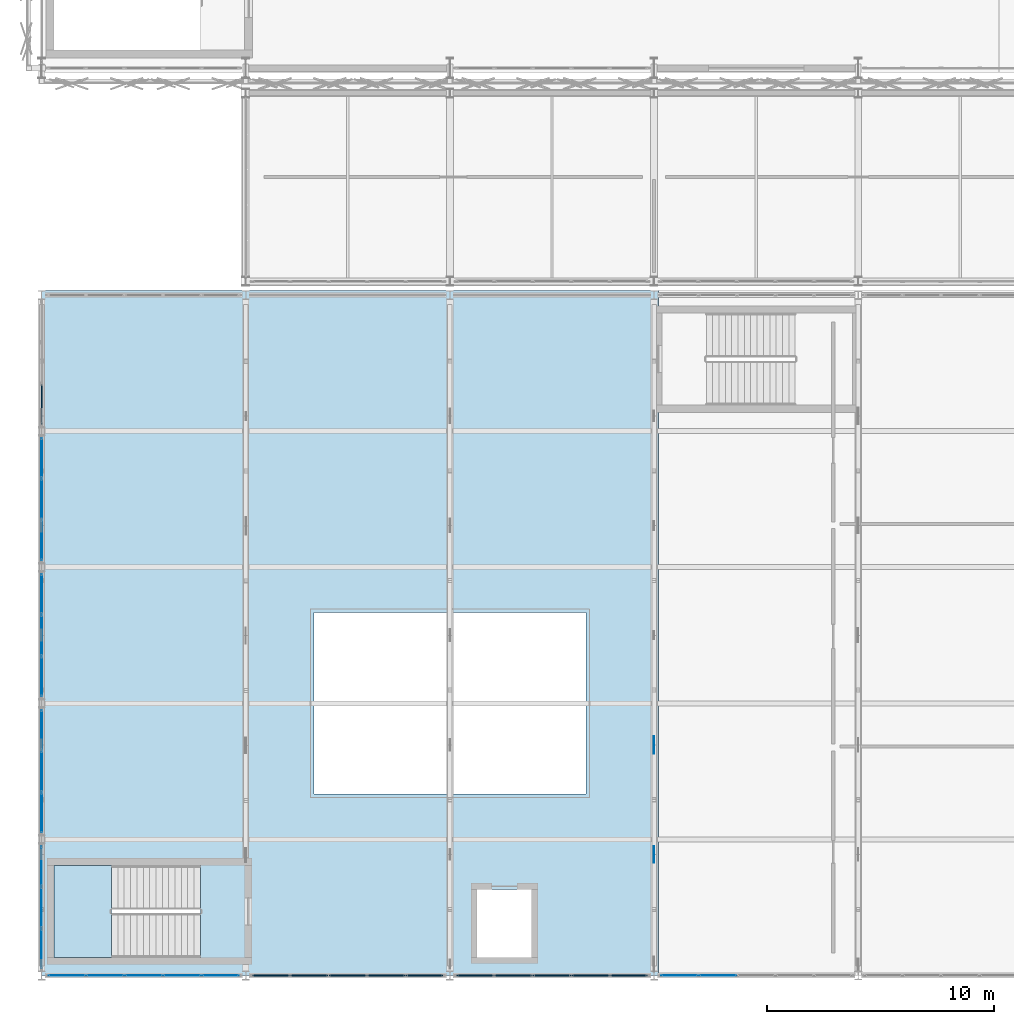
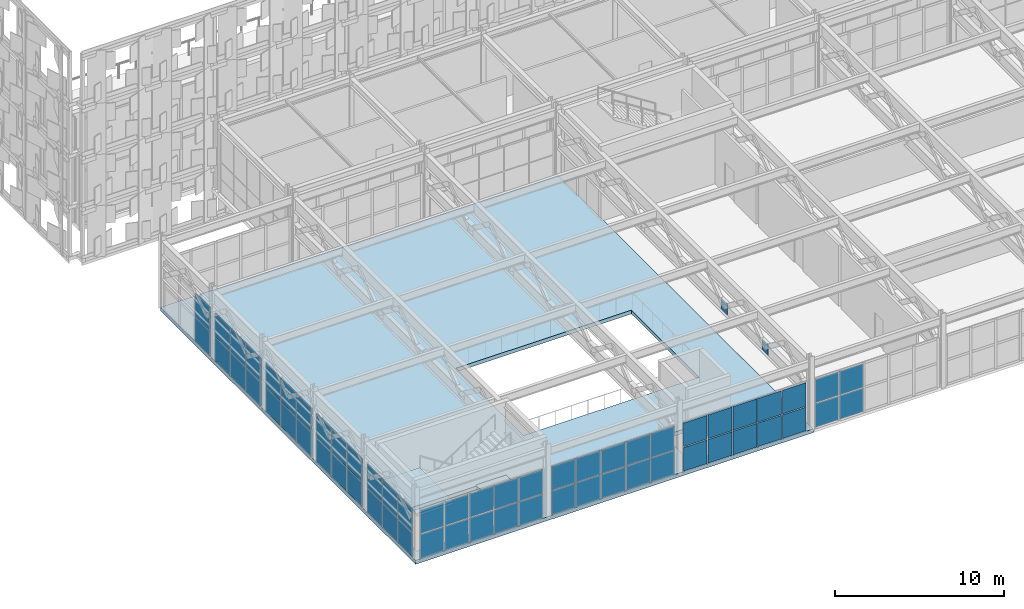
# One storey, part 131 of 210: 62 plates, 3 slabs, 10 elements without a shape of their own.
"""IFC4 building model written with IfcOpenShell, lengths in metres."""

from ifc_helpers import new_model, si_unit, direction, frame, origin, origin_2d, place, context, subcontext, project, spatial, polyline, rectangle, outline, extrude, material, layer, layer_set, type_object, element, aggregate, save


model = new_model("IFC4")

# Units and contexts
model_context = context("Model", 3, precision=1e-05, world=origin(), true_north=direction((0.0, 1.0)))
body_context = subcontext(model_context, "Body", "Model", "MODEL_VIEW")
ifc_project = project(units=[si_unit("LENGTHUNIT", "METRE"), si_unit("AREAUNIT", "SQUARE_METRE"), si_unit("VOLUMEUNIT", "CUBIC_METRE"), si_unit("PLANEANGLEUNIT", "RADIAN"), si_unit("MASSUNIT", "GRAM", prefix="KILO")], contexts=[model_context])

# Site, building, storey
site_placement = place(None, origin())
site = spatial("IfcSite", under=ifc_project, at=site_placement, CompositionType="ELEMENT")
building_placement = place(site_placement, origin())
building = spatial("IfcBuilding", under=site, at=building_placement, Name="Kaldris Quays Convention Centre", CompositionType="ELEMENT")
storey_placement = place(building_placement, frame((0.0, 0.0, 6.0)))
storey = spatial("IfcBuildingStorey", under=building, at=storey_placement, Name="L01", CompositionType="ELEMENT", Elevation=6.0)

# Curtain wall, plates
ifc_material_1 = material(Name="Anodized aluminium AW-6060 and triple glazing", Category="aluminium")
curtain_wall_type = type_object("IfcCurtainWallType", Name="UNITISED CURTAIN WALL CW05", PredefinedType="NOTDEFINED", material=ifc_material_1)
curtain_wall_1_placement = place(storey_placement, origin())
curtain_wall_1 = element("IfcCurtainWall", 1, at=curtain_wall_1_placement, inside=storey, type_object=curtain_wall_type, Name="L01 Unitised Curtain Wall CW05 65", PredefinedType="NOTDEFINED")
ifc_material_2 = material(Name="Triple low-E insulated glazing", Category="glass")
plate_type_1 = type_object("IfcPlateType", Name="CURTAIN GLAZING PANEL CWP1", PredefinedType="CURTAIN_PANEL", material=ifc_material_2)
plate_1_placement = place(storey_placement, frame((48.114990234375, 16.0, 0.06005859375), z_axis=(0.0, 0.0, 1.0), x_axis=(1.0, 0.0, 0.0)))
plate_1 = element("IfcPlate", 2, at=plate_1_placement, type_object=plate_type_1, Name="CW05 panel 1.1", PredefinedType="CURTAIN_PANEL", context=body_context, shape_type="SweptSolid", body=[
    extrude(rectangle(XDim=1.610107421875, YDim=0.029052734375, at=origin_2d()), origin(), (0.0, 0.0, 1.0), 1.7099609375),
])
plate_2_placement = place(storey_placement, frame((48.114990234375, 16.0, 1.830078125), z_axis=(0.0, 0.0, 1.0), x_axis=(1.0, 0.0, 0.0)))
plate_2 = element("IfcPlate", 3, at=plate_2_placement, type_object=plate_type_1, Name="CW05 panel 1.2", PredefinedType="CURTAIN_PANEL", context=body_context, shape_type="SweptSolid", body=[
    extrude(rectangle(XDim=1.610107421875, YDim=0.029052734375, at=origin_2d()), origin(), (0.0, 0.0, 1.0), 1.7099609375),
])
plate_3_placement = place(storey_placement, frame((49.800048828125, 16.0, 0.06005859375), z_axis=(0.0, 0.0, 1.0), x_axis=(1.0, 0.0, 0.0)))
plate_3 = element("IfcPlate", 4, at=plate_3_placement, type_object=plate_type_1, Name="CW05 panel 2.1", PredefinedType="CURTAIN_PANEL", context=body_context, shape_type="SweptSolid", body=[
    extrude(rectangle(XDim=1.639892578125, YDim=0.029052734375, at=origin_2d()), origin(), (0.0, 0.0, 1.0), 1.7099609375),
])
plate_4_placement = place(storey_placement, frame((49.800048828125, 16.0, 1.830078125), z_axis=(0.0, 0.0, 1.0), x_axis=(1.0, 0.0, 0.0)))
plate_4 = element("IfcPlate", 5, at=plate_4_placement, type_object=plate_type_1, Name="CW05 panel 2.2", PredefinedType="CURTAIN_PANEL", context=body_context, shape_type="SweptSolid", body=[
    extrude(rectangle(XDim=1.639892578125, YDim=0.029052734375, at=origin_2d()), origin(), (0.0, 0.0, 1.0), 1.7099609375),
])
aggregate(curtain_wall_1, [plate_1, plate_2, plate_3, plate_4])

curtain_wall_2_placement = place(storey_placement, origin())
curtain_wall_2 = element("IfcCurtainWall", 6, at=curtain_wall_2_placement, inside=storey, type_object=curtain_wall_type, Name="L01 Unitised Curtain Wall CW05 73", PredefinedType="NOTDEFINED")
plate_5_placement = place(storey_placement, frame((20.0, 17.181640625, 0.06005859375), z_axis=(0.0, 0.0, 1.0), x_axis=(0.0, 1.0, 0.0)))
plate_5 = element("IfcPlate", 7, at=plate_5_placement, type_object=plate_type_1, Name="CW05 panel 1.1", PredefinedType="CURTAIN_PANEL", context=body_context, shape_type="SweptSolid", body=[
    extrude(rectangle(XDim=1.743408203125, YDim=0.029052734375, at=origin_2d()), origin(), (0.0, 0.0, 1.0), 1.7099609375),
])
plate_6_placement = place(storey_placement, frame((20.0, 17.181640625, 1.830078125), z_axis=(0.0, 0.0, 1.0), x_axis=(0.0, 1.0, 0.0)))
plate_6 = element("IfcPlate", 8, at=plate_6_placement, type_object=plate_type_1, Name="CW05 panel 1.2", PredefinedType="CURTAIN_PANEL", context=body_context, shape_type="SweptSolid", body=[
    extrude(rectangle(XDim=1.743408203125, YDim=0.029052734375, at=origin_2d()), origin(), (0.0, 0.0, 1.0), 1.7099609375),
])
plate_7_placement = place(storey_placement, frame((20.0, 19.0, 0.06005859375), z_axis=(0.0, 0.0, 1.0), x_axis=(0.0, 1.0, 0.0)))
plate_7 = element("IfcPlate", 9, at=plate_7_placement, type_object=plate_type_1, Name="CW05 panel 2.1", PredefinedType="CURTAIN_PANEL", context=body_context, shape_type="SweptSolid", body=[
    extrude(rectangle(XDim=1.7734375, YDim=0.029052734375, at=origin_2d()), origin(), (0.0, 0.0, 1.0), 1.7099609375),
])
plate_8_placement = place(storey_placement, frame((20.0, 19.0, 1.830078125), z_axis=(0.0, 0.0, 1.0), x_axis=(0.0, 1.0, 0.0)))
plate_8 = element("IfcPlate", 10, at=plate_8_placement, type_object=plate_type_1, Name="CW05 panel 2.2", PredefinedType="CURTAIN_PANEL", context=body_context, shape_type="SweptSolid", body=[
    extrude(rectangle(XDim=1.7734375, YDim=0.029052734375, at=origin_2d()), origin(), (0.0, 0.0, 1.0), 1.7099609375),
])
plate_9_placement = place(storey_placement, frame((20.0, 20.818359375, 0.06005859375), z_axis=(0.0, 0.0, 1.0), x_axis=(0.0, 1.0, 0.0)))
plate_9 = element("IfcPlate", 11, at=plate_9_placement, type_object=plate_type_1, Name="CW05 panel 3.1", PredefinedType="CURTAIN_PANEL", context=body_context, shape_type="SweptSolid", body=[
    extrude(rectangle(XDim=1.743408203125, YDim=0.029052734375, at=origin_2d()), origin(), (0.0, 0.0, 1.0), 1.7099609375),
])
plate_10_placement = place(storey_placement, frame((20.0, 20.818359375, 1.830078125), z_axis=(0.0, 0.0, 1.0), x_axis=(0.0, 1.0, 0.0)))
plate_10 = element("IfcPlate", 12, at=plate_10_placement, type_object=plate_type_1, Name="CW05 panel 3.2", PredefinedType="CURTAIN_PANEL", context=body_context, shape_type="SweptSolid", body=[
    extrude(rectangle(XDim=1.743408203125, YDim=0.029052734375, at=origin_2d()), origin(), (0.0, 0.0, 1.0), 1.7099609375),
])
aggregate(curtain_wall_2, [plate_5, plate_6, plate_7, plate_8, plate_9, plate_10])

curtain_wall_3_placement = place(storey_placement, origin())
curtain_wall_3 = element("IfcCurtainWall", 13, at=curtain_wall_3_placement, inside=storey, type_object=curtain_wall_type, Name="L01 Unitised Curtain Wall CW05 74", PredefinedType="NOTDEFINED")
plate_type_2 = type_object("IfcPlateType", Name="CURTAIN GLAZING PANEL CWP2", PredefinedType="CURTAIN_PANEL", material=ifc_material_2)
plate_11_placement = place(storey_placement, frame((20.0, 23.181640625, 0.06005859375), z_axis=(0.0, 0.0, 1.0), x_axis=(0.0, 1.0, 0.0)))
plate_11 = element("IfcPlate", 14, at=plate_11_placement, type_object=plate_type_2, Name="CW05 panel 1.1", PredefinedType="CURTAIN_PANEL", context=body_context, shape_type="SweptSolid", body=[
    extrude(rectangle(XDim=1.743408203125, YDim=0.033935546875, at=origin_2d()), origin(), (0.0, 0.0, 1.0), 1.7099609375),
])
plate_12_placement = place(storey_placement, frame((20.0, 23.181640625, 1.830078125), z_axis=(0.0, 0.0, 1.0), x_axis=(0.0, 1.0, 0.0)))
plate_12 = element("IfcPlate", 15, at=plate_12_placement, type_object=plate_type_2, Name="CW05 panel 1.2", PredefinedType="CURTAIN_PANEL", context=body_context, shape_type="SweptSolid", body=[
    extrude(rectangle(XDim=1.743408203125, YDim=0.033935546875, at=origin_2d()), origin(), (0.0, 0.0, 1.0), 1.7099609375),
])
plate_13_placement = place(storey_placement, frame((20.0, 25.0, 0.06005859375), z_axis=(0.0, 0.0, 1.0), x_axis=(0.0, 1.0, 0.0)))
plate_13 = element("IfcPlate", 16, at=plate_13_placement, type_object=plate_type_2, Name="CW05 panel 2.1", PredefinedType="CURTAIN_PANEL", context=body_context, shape_type="SweptSolid", body=[
    extrude(rectangle(XDim=1.7734375, YDim=0.033935546875, at=origin_2d()), origin(), (0.0, 0.0, 1.0), 1.7099609375),
])
plate_14_placement = place(storey_placement, frame((20.0, 25.0, 1.830078125), z_axis=(0.0, 0.0, 1.0), x_axis=(0.0, 1.0, 0.0)))
plate_14 = element("IfcPlate", 17, at=plate_14_placement, type_object=plate_type_2, Name="CW05 panel 2.2", PredefinedType="CURTAIN_PANEL", context=body_context, shape_type="SweptSolid", body=[
    extrude(rectangle(XDim=1.7734375, YDim=0.033935546875, at=origin_2d()), origin(), (0.0, 0.0, 1.0), 1.7099609375),
])
plate_15_placement = place(storey_placement, frame((20.0, 26.818359375, 0.06005859375), z_axis=(0.0, 0.0, 1.0), x_axis=(0.0, 1.0, 0.0)))
plate_15 = element("IfcPlate", 18, at=plate_15_placement, type_object=plate_type_2, Name="CW05 panel 3.1", PredefinedType="CURTAIN_PANEL", context=body_context, shape_type="SweptSolid", body=[
    extrude(rectangle(XDim=1.743408203125, YDim=0.033935546875, at=origin_2d()), origin(), (0.0, 0.0, 1.0), 1.7099609375),
])
plate_16_placement = place(storey_placement, frame((20.0, 26.818359375, 1.830078125), z_axis=(0.0, 0.0, 1.0), x_axis=(0.0, 1.0, 0.0)))
plate_16 = element("IfcPlate", 19, at=plate_16_placement, type_object=plate_type_2, Name="CW05 panel 3.2", PredefinedType="CURTAIN_PANEL", context=body_context, shape_type="SweptSolid", body=[
    extrude(rectangle(XDim=1.743408203125, YDim=0.033935546875, at=origin_2d()), origin(), (0.0, 0.0, 1.0), 1.7099609375),
])
aggregate(curtain_wall_3, [plate_11, plate_12, plate_13, plate_14, plate_15, plate_16])

curtain_wall_4_placement = place(storey_placement, origin())
curtain_wall_4 = element("IfcCurtainWall", 20, at=curtain_wall_4_placement, inside=storey, type_object=curtain_wall_type, Name="L01 Unitised Curtain Wall CW05 59", PredefinedType="NOTDEFINED")
plate_type_3 = type_object("IfcPlateType", Name="CURTAIN GLAZING PANEL CWP3", PredefinedType="CURTAIN_PANEL", material=ifc_material_2)
plate_17_placement = place(storey_placement, frame((21.114990234375, 16.0, 0.06005859375), z_axis=(0.0, 0.0, 1.0), x_axis=(1.0, 0.0, 0.0)))
plate_17 = element("IfcPlate", 21, at=plate_17_placement, type_object=plate_type_3, Name="CW05 panel 1.1", PredefinedType="CURTAIN_PANEL", context=body_context, shape_type="SweptSolid", body=[
    extrude(rectangle(XDim=1.610107421875, YDim=0.0390625, at=origin_2d()), origin(), (0.0, 0.0, 1.0), 1.7099609375),
])
plate_18_placement = place(storey_placement, frame((21.114990234375, 16.0, 1.830078125), z_axis=(0.0, 0.0, 1.0), x_axis=(1.0, 0.0, 0.0)))
plate_18 = element("IfcPlate", 22, at=plate_18_placement, type_object=plate_type_3, Name="CW05 panel 1.2", PredefinedType="CURTAIN_PANEL", context=body_context, shape_type="SweptSolid", body=[
    extrude(rectangle(XDim=1.610107421875, YDim=0.0390625, at=origin_2d()), origin(), (0.0, 0.0, 1.0), 1.7099609375),
])
plate_19_placement = place(storey_placement, frame((22.800048828125, 16.0, 0.06005859375), z_axis=(0.0, 0.0, 1.0), x_axis=(1.0, 0.0, 0.0)))
plate_19 = element("IfcPlate", 23, at=plate_19_placement, type_object=plate_type_3, Name="CW05 panel 2.1", PredefinedType="CURTAIN_PANEL", context=body_context, shape_type="SweptSolid", body=[
    extrude(rectangle(XDim=1.639892578125, YDim=0.0390625, at=origin_2d()), origin(), (0.0, 0.0, 1.0), 1.7099609375),
])
plate_20_placement = place(storey_placement, frame((22.800048828125, 16.0, 1.830078125), z_axis=(0.0, 0.0, 1.0), x_axis=(1.0, 0.0, 0.0)))
plate_20 = element("IfcPlate", 24, at=plate_20_placement, type_object=plate_type_3, Name="CW05 panel 2.2", PredefinedType="CURTAIN_PANEL", context=body_context, shape_type="SweptSolid", body=[
    extrude(rectangle(XDim=1.639892578125, YDim=0.0390625, at=origin_2d()), origin(), (0.0, 0.0, 1.0), 1.7099609375),
])
plate_21_placement = place(storey_placement, frame((24.5, 16.0, 0.06005859375), z_axis=(0.0, 0.0, 1.0), x_axis=(1.0, 0.0, 0.0)))
plate_21 = element("IfcPlate", 25, at=plate_21_placement, type_object=plate_type_3, Name="CW05 panel 3.1", PredefinedType="CURTAIN_PANEL", context=body_context, shape_type="SweptSolid", body=[
    extrude(rectangle(XDim=1.639892578125, YDim=0.0390625, at=origin_2d()), origin(), (0.0, 0.0, 1.0), 1.7099609375),
])
plate_22_placement = place(storey_placement, frame((24.5, 16.0, 1.830078125), z_axis=(0.0, 0.0, 1.0), x_axis=(1.0, 0.0, 0.0)))
plate_22 = element("IfcPlate", 26, at=plate_22_placement, type_object=plate_type_3, Name="CW05 panel 3.2", PredefinedType="CURTAIN_PANEL", context=body_context, shape_type="SweptSolid", body=[
    extrude(rectangle(XDim=1.639892578125, YDim=0.0390625, at=origin_2d()), origin(), (0.0, 0.0, 1.0), 1.7099609375),
])
plate_23_placement = place(storey_placement, frame((26.199951171875, 16.0, 0.06005859375), z_axis=(0.0, 0.0, 1.0), x_axis=(1.0, 0.0, 0.0)))
plate_23 = element("IfcPlate", 27, at=plate_23_placement, type_object=plate_type_3, Name="CW05 panel 4.1", PredefinedType="CURTAIN_PANEL", context=body_context, shape_type="SweptSolid", body=[
    extrude(rectangle(XDim=1.639892578125, YDim=0.0390625, at=origin_2d()), origin(), (0.0, 0.0, 1.0), 1.7099609375),
])
plate_24_placement = place(storey_placement, frame((26.199951171875, 16.0, 1.830078125), z_axis=(0.0, 0.0, 1.0), x_axis=(1.0, 0.0, 0.0)))
plate_24 = element("IfcPlate", 28, at=plate_24_placement, type_object=plate_type_3, Name="CW05 panel 4.2", PredefinedType="CURTAIN_PANEL", context=body_context, shape_type="SweptSolid", body=[
    extrude(rectangle(XDim=1.639892578125, YDim=0.0390625, at=origin_2d()), origin(), (0.0, 0.0, 1.0), 1.7099609375),
])
plate_25_placement = place(storey_placement, frame((27.885009765625, 16.0, 0.06005859375), z_axis=(0.0, 0.0, 1.0), x_axis=(1.0, 0.0, 0.0)))
plate_25 = element("IfcPlate", 29, at=plate_25_placement, type_object=plate_type_3, Name="CW05 panel 5.1", PredefinedType="CURTAIN_PANEL", context=body_context, shape_type="SweptSolid", body=[
    extrude(rectangle(XDim=1.610107421875, YDim=0.0390625, at=origin_2d()), origin(), (0.0, 0.0, 1.0), 1.7099609375),
])
plate_26_placement = place(storey_placement, frame((27.885009765625, 16.0, 1.830078125), z_axis=(0.0, 0.0, 1.0), x_axis=(1.0, 0.0, 0.0)))
plate_26 = element("IfcPlate", 30, at=plate_26_placement, type_object=plate_type_3, Name="CW05 panel 5.2", PredefinedType="CURTAIN_PANEL", context=body_context, shape_type="SweptSolid", body=[
    extrude(rectangle(XDim=1.610107421875, YDim=0.0390625, at=origin_2d()), origin(), (0.0, 0.0, 1.0), 1.7099609375),
])
aggregate(curtain_wall_4, [plate_17, plate_18, plate_19, plate_20, plate_21, plate_22, plate_23, plate_24, plate_25, plate_26])

curtain_wall_5_placement = place(storey_placement, origin())
curtain_wall_5 = element("IfcCurtainWall", 31, at=curtain_wall_5_placement, inside=storey, type_object=curtain_wall_type, Name="L01 Unitised Curtain Wall CW05 75", PredefinedType="NOTDEFINED")
plate_27_placement = place(storey_placement, frame((20.0, 29.181640625, 0.06005859375), z_axis=(0.0, 0.0, 1.0), x_axis=(0.0, 1.0, 0.0)))
plate_27 = element("IfcPlate", 32, at=plate_27_placement, type_object=plate_type_3, Name="CW05 panel 1.1", PredefinedType="CURTAIN_PANEL", context=body_context, shape_type="SweptSolid", body=[
    extrude(rectangle(XDim=1.743408203125, YDim=0.0390625, at=origin_2d()), origin(), (0.0, 0.0, 1.0), 1.7099609375),
])
plate_28_placement = place(storey_placement, frame((20.0, 29.181640625, 1.830078125), z_axis=(0.0, 0.0, 1.0), x_axis=(0.0, 1.0, 0.0)))
plate_28 = element("IfcPlate", 33, at=plate_28_placement, type_object=plate_type_3, Name="CW05 panel 1.2", PredefinedType="CURTAIN_PANEL", context=body_context, shape_type="SweptSolid", body=[
    extrude(rectangle(XDim=1.743408203125, YDim=0.0390625, at=origin_2d()), origin(), (0.0, 0.0, 1.0), 1.7099609375),
])
plate_29_placement = place(storey_placement, frame((20.0, 31.0, 0.06005859375), z_axis=(0.0, 0.0, 1.0), x_axis=(0.0, 1.0, 0.0)))
plate_29 = element("IfcPlate", 34, at=plate_29_placement, type_object=plate_type_3, Name="CW05 panel 2.1", PredefinedType="CURTAIN_PANEL", context=body_context, shape_type="SweptSolid", body=[
    extrude(rectangle(XDim=1.7734375, YDim=0.0390625, at=origin_2d()), origin(), (0.0, 0.0, 1.0), 1.7099609375),
])
plate_30_placement = place(storey_placement, frame((20.0, 31.0, 1.830078125), z_axis=(0.0, 0.0, 1.0), x_axis=(0.0, 1.0, 0.0)))
plate_30 = element("IfcPlate", 35, at=plate_30_placement, type_object=plate_type_3, Name="CW05 panel 2.2", PredefinedType="CURTAIN_PANEL", context=body_context, shape_type="SweptSolid", body=[
    extrude(rectangle(XDim=1.7734375, YDim=0.0390625, at=origin_2d()), origin(), (0.0, 0.0, 1.0), 1.7099609375),
])
plate_31_placement = place(storey_placement, frame((20.0, 32.818359375, 0.06005859375), z_axis=(0.0, 0.0, 1.0), x_axis=(0.0, 1.0, 0.0)))
plate_31 = element("IfcPlate", 36, at=plate_31_placement, type_object=plate_type_3, Name="CW05 panel 3.1", PredefinedType="CURTAIN_PANEL", context=body_context, shape_type="SweptSolid", body=[
    extrude(rectangle(XDim=1.743408203125, YDim=0.0390625, at=origin_2d()), origin(), (0.0, 0.0, 1.0), 1.7099609375),
])
plate_32_placement = place(storey_placement, frame((20.0, 32.818359375, 1.830078125), z_axis=(0.0, 0.0, 1.0), x_axis=(0.0, 1.0, 0.0)))
plate_32 = element("IfcPlate", 37, at=plate_32_placement, type_object=plate_type_3, Name="CW05 panel 3.2", PredefinedType="CURTAIN_PANEL", context=body_context, shape_type="SweptSolid", body=[
    extrude(rectangle(XDim=1.743408203125, YDim=0.0390625, at=origin_2d()), origin(), (0.0, 0.0, 1.0), 1.7099609375),
])
aggregate(curtain_wall_5, [plate_27, plate_28, plate_29, plate_30, plate_31, plate_32])

curtain_wall_6_placement = place(storey_placement, origin())
curtain_wall_6 = element("IfcCurtainWall", 38, at=curtain_wall_6_placement, inside=storey, type_object=curtain_wall_type, Name="L01 Unitised Curtain Wall CW05 76", PredefinedType="NOTDEFINED")
plate_type_4 = type_object("IfcPlateType", Name="CURTAIN GLAZING PANEL CWP4", PredefinedType="CURTAIN_PANEL", material=ifc_material_2)
plate_33_placement = place(storey_placement, frame((20.0, 35.181640625, 0.06005859375), z_axis=(0.0, 0.0, 1.0), x_axis=(0.0, 1.0, 0.0)))
plate_33 = element("IfcPlate", 39, at=plate_33_placement, type_object=plate_type_4, Name="CW05 panel 1.1", PredefinedType="CURTAIN_PANEL", context=body_context, shape_type="SweptSolid", body=[
    extrude(rectangle(XDim=1.743408203125, YDim=0.0439453125, at=origin_2d()), origin(), (0.0, 0.0, 1.0), 1.7099609375),
])
plate_34_placement = place(storey_placement, frame((20.0, 35.181640625, 1.830078125), z_axis=(0.0, 0.0, 1.0), x_axis=(0.0, 1.0, 0.0)))
plate_34 = element("IfcPlate", 40, at=plate_34_placement, type_object=plate_type_4, Name="CW05 panel 1.2", PredefinedType="CURTAIN_PANEL", context=body_context, shape_type="SweptSolid", body=[
    extrude(rectangle(XDim=1.743408203125, YDim=0.0439453125, at=origin_2d()), origin(), (0.0, 0.0, 1.0), 1.7099609375),
])
plate_35_placement = place(storey_placement, frame((20.0, 37.0, 0.06005859375), z_axis=(0.0, 0.0, 1.0), x_axis=(0.0, 1.0, 0.0)))
plate_35 = element("IfcPlate", 41, at=plate_35_placement, type_object=plate_type_4, Name="CW05 panel 2.1", PredefinedType="CURTAIN_PANEL", context=body_context, shape_type="SweptSolid", body=[
    extrude(rectangle(XDim=1.7734375, YDim=0.0439453125, at=origin_2d()), origin(), (0.0, 0.0, 1.0), 1.7099609375),
])
plate_36_placement = place(storey_placement, frame((20.0, 37.0, 1.830078125), z_axis=(0.0, 0.0, 1.0), x_axis=(0.0, 1.0, 0.0)))
plate_36 = element("IfcPlate", 42, at=plate_36_placement, type_object=plate_type_4, Name="CW05 panel 2.2", PredefinedType="CURTAIN_PANEL", context=body_context, shape_type="SweptSolid", body=[
    extrude(rectangle(XDim=1.7734375, YDim=0.0439453125, at=origin_2d()), origin(), (0.0, 0.0, 1.0), 1.7099609375),
])
plate_37_placement = place(storey_placement, frame((20.0, 38.818359375, 0.06005859375), z_axis=(0.0, 0.0, 1.0), x_axis=(0.0, 1.0, 0.0)))
plate_37 = element("IfcPlate", 43, at=plate_37_placement, type_object=plate_type_4, Name="CW05 panel 3.1", PredefinedType="CURTAIN_PANEL", context=body_context, shape_type="SweptSolid", body=[
    extrude(rectangle(XDim=1.743408203125, YDim=0.0439453125, at=origin_2d()), origin(), (0.0, 0.0, 1.0), 1.7099609375),
])
plate_38_placement = place(storey_placement, frame((20.0, 38.818359375, 1.830078125), z_axis=(0.0, 0.0, 1.0), x_axis=(0.0, 1.0, 0.0)))
plate_38 = element("IfcPlate", 44, at=plate_38_placement, type_object=plate_type_4, Name="CW05 panel 3.2", PredefinedType="CURTAIN_PANEL", context=body_context, shape_type="SweptSolid", body=[
    extrude(rectangle(XDim=1.743408203125, YDim=0.0439453125, at=origin_2d()), origin(), (0.0, 0.0, 1.0), 1.7099609375),
])
aggregate(curtain_wall_6, [plate_33, plate_34, plate_35, plate_36, plate_37, plate_38])

curtain_wall_7_placement = place(storey_placement, origin())
curtain_wall_7 = element("IfcCurtainWall", 45, at=curtain_wall_7_placement, inside=storey, type_object=curtain_wall_type, Name="L01 Unitised Curtain Wall CW05 61", PredefinedType="NOTDEFINED")
plate_type_5 = type_object("IfcPlateType", Name="CURTAIN GLAZING PANEL CWP5", PredefinedType="CURTAIN_PANEL", material=ifc_material_2)
plate_39_placement = place(storey_placement, frame((30.114990234375, 16.0, 0.06005859375), z_axis=(0.0, 0.0, 1.0), x_axis=(1.0, 0.0, 0.0)))
plate_39 = element("IfcPlate", 46, at=plate_39_placement, type_object=plate_type_5, Name="CW05 panel 1.1", PredefinedType="CURTAIN_PANEL", context=body_context, shape_type="SweptSolid", body=[
    extrude(rectangle(XDim=1.610107421875, YDim=0.049072265625, at=origin_2d()), origin(), (0.0, 0.0, 1.0), 1.7099609375),
])
plate_40_placement = place(storey_placement, frame((30.114990234375, 16.0, 1.830078125), z_axis=(0.0, 0.0, 1.0), x_axis=(1.0, 0.0, 0.0)))
plate_40 = element("IfcPlate", 47, at=plate_40_placement, type_object=plate_type_5, Name="CW05 panel 1.2", PredefinedType="CURTAIN_PANEL", context=body_context, shape_type="SweptSolid", body=[
    extrude(rectangle(XDim=1.610107421875, YDim=0.049072265625, at=origin_2d()), origin(), (0.0, 0.0, 1.0), 1.7099609375),
])
plate_41_placement = place(storey_placement, frame((31.800048828125, 16.0, 0.06005859375), z_axis=(0.0, 0.0, 1.0), x_axis=(1.0, 0.0, 0.0)))
plate_41 = element("IfcPlate", 48, at=plate_41_placement, type_object=plate_type_5, Name="CW05 panel 2.1", PredefinedType="CURTAIN_PANEL", context=body_context, shape_type="SweptSolid", body=[
    extrude(rectangle(XDim=1.639892578125, YDim=0.049072265625, at=origin_2d()), origin(), (0.0, 0.0, 1.0), 1.7099609375),
])
plate_42_placement = place(storey_placement, frame((31.800048828125, 16.0, 1.830078125), z_axis=(0.0, 0.0, 1.0), x_axis=(1.0, 0.0, 0.0)))
plate_42 = element("IfcPlate", 49, at=plate_42_placement, type_object=plate_type_5, Name="CW05 panel 2.2", PredefinedType="CURTAIN_PANEL", context=body_context, shape_type="SweptSolid", body=[
    extrude(rectangle(XDim=1.639892578125, YDim=0.049072265625, at=origin_2d()), origin(), (0.0, 0.0, 1.0), 1.7099609375),
])
plate_43_placement = place(storey_placement, frame((33.5, 16.0, 0.06005859375), z_axis=(0.0, 0.0, 1.0), x_axis=(1.0, 0.0, 0.0)))
plate_43 = element("IfcPlate", 50, at=plate_43_placement, type_object=plate_type_5, Name="CW05 panel 3.1", PredefinedType="CURTAIN_PANEL", context=body_context, shape_type="SweptSolid", body=[
    extrude(rectangle(XDim=1.639892578125, YDim=0.049072265625, at=origin_2d()), origin(), (0.0, 0.0, 1.0), 1.7099609375),
])
plate_44_placement = place(storey_placement, frame((33.5, 16.0, 1.830078125), z_axis=(0.0, 0.0, 1.0), x_axis=(1.0, 0.0, 0.0)))
plate_44 = element("IfcPlate", 51, at=plate_44_placement, type_object=plate_type_5, Name="CW05 panel 3.2", PredefinedType="CURTAIN_PANEL", context=body_context, shape_type="SweptSolid", body=[
    extrude(rectangle(XDim=1.639892578125, YDim=0.049072265625, at=origin_2d()), origin(), (0.0, 0.0, 1.0), 1.7099609375),
])
plate_45_placement = place(storey_placement, frame((35.199951171875, 16.0, 0.06005859375), z_axis=(0.0, 0.0, 1.0), x_axis=(1.0, 0.0, 0.0)))
plate_45 = element("IfcPlate", 52, at=plate_45_placement, type_object=plate_type_5, Name="CW05 panel 4.1", PredefinedType="CURTAIN_PANEL", context=body_context, shape_type="SweptSolid", body=[
    extrude(rectangle(XDim=1.639892578125, YDim=0.049072265625, at=origin_2d()), origin(), (0.0, 0.0, 1.0), 1.7099609375),
])
plate_46_placement = place(storey_placement, frame((35.199951171875, 16.0, 1.830078125), z_axis=(0.0, 0.0, 1.0), x_axis=(1.0, 0.0, 0.0)))
plate_46 = element("IfcPlate", 53, at=plate_46_placement, type_object=plate_type_5, Name="CW05 panel 4.2", PredefinedType="CURTAIN_PANEL", context=body_context, shape_type="SweptSolid", body=[
    extrude(rectangle(XDim=1.639892578125, YDim=0.049072265625, at=origin_2d()), origin(), (0.0, 0.0, 1.0), 1.7099609375),
])
plate_47_placement = place(storey_placement, frame((36.885009765625, 16.0, 0.06005859375), z_axis=(0.0, 0.0, 1.0), x_axis=(1.0, 0.0, 0.0)))
plate_47 = element("IfcPlate", 54, at=plate_47_placement, type_object=plate_type_5, Name="CW05 panel 5.1", PredefinedType="CURTAIN_PANEL", context=body_context, shape_type="SweptSolid", body=[
    extrude(rectangle(XDim=1.610107421875, YDim=0.049072265625, at=origin_2d()), origin(), (0.0, 0.0, 1.0), 1.7099609375),
])
plate_48_placement = place(storey_placement, frame((36.885009765625, 16.0, 1.830078125), z_axis=(0.0, 0.0, 1.0), x_axis=(1.0, 0.0, 0.0)))
plate_48 = element("IfcPlate", 55, at=plate_48_placement, type_object=plate_type_5, Name="CW05 panel 5.2", PredefinedType="CURTAIN_PANEL", context=body_context, shape_type="SweptSolid", body=[
    extrude(rectangle(XDim=1.610107421875, YDim=0.049072265625, at=origin_2d()), origin(), (0.0, 0.0, 1.0), 1.7099609375),
])
aggregate(curtain_wall_7, [plate_39, plate_40, plate_41, plate_42, plate_43, plate_44, plate_45, plate_46, plate_47, plate_48])

curtain_wall_8_placement = place(storey_placement, origin())
curtain_wall_8 = element("IfcCurtainWall", 56, at=curtain_wall_8_placement, inside=storey, type_object=curtain_wall_type, Name="L01 Unitised Curtain Wall CW05 77", PredefinedType="NOTDEFINED")
plate_49_placement = place(storey_placement, frame((20.0, 41.181640625, 0.06005859375), z_axis=(0.0, 0.0, 1.0), x_axis=(0.0, 1.0, 0.0)))
plate_49 = element("IfcPlate", 57, at=plate_49_placement, type_object=plate_type_5, Name="CW05 panel 1.1", PredefinedType="CURTAIN_PANEL", context=body_context, shape_type="SweptSolid", body=[
    extrude(rectangle(XDim=1.743408203125, YDim=0.049072265625, at=origin_2d()), origin(), (0.0, 0.0, 1.0), 1.7099609375),
])
plate_50_placement = place(storey_placement, frame((20.0, 41.181640625, 1.830078125), z_axis=(0.0, 0.0, 1.0), x_axis=(0.0, 1.0, 0.0)))
plate_50 = element("IfcPlate", 58, at=plate_50_placement, type_object=plate_type_5, Name="CW05 panel 1.2", PredefinedType="CURTAIN_PANEL", context=body_context, shape_type="SweptSolid", body=[
    extrude(rectangle(XDim=1.743408203125, YDim=0.049072265625, at=origin_2d()), origin(), (0.0, 0.0, 1.0), 1.7099609375),
])
aggregate(curtain_wall_8, [plate_49, plate_50])

curtain_wall_9_placement = place(storey_placement, origin())
curtain_wall_9 = element("IfcCurtainWall", 59, at=curtain_wall_9_placement, inside=storey, type_object=curtain_wall_type, Name="L01 Unitised Curtain Wall CW05 63", PredefinedType="NOTDEFINED")
plate_type_6 = type_object("IfcPlateType", Name="CURTAIN GLAZING PANEL CWP7", PredefinedType="CURTAIN_PANEL", material=ifc_material_2)
plate_51_placement = place(storey_placement, frame((39.114990234375, 16.0, 0.06005859375), z_axis=(0.0, 0.0, 1.0), x_axis=(1.0, 0.0, 0.0)))
plate_51 = element("IfcPlate", 60, at=plate_51_placement, type_object=plate_type_6, Name="CW05 panel 1.1", PredefinedType="CURTAIN_PANEL", context=body_context, shape_type="SweptSolid", body=[
    extrude(rectangle(XDim=1.610107421875, YDim=0.05908203125, at=origin_2d()), origin(), (0.0, 0.0, 1.0), 1.7099609375),
])
plate_52_placement = place(storey_placement, frame((39.114990234375, 16.0, 1.830078125), z_axis=(0.0, 0.0, 1.0), x_axis=(1.0, 0.0, 0.0)))
plate_52 = element("IfcPlate", 61, at=plate_52_placement, type_object=plate_type_6, Name="CW05 panel 1.2", PredefinedType="CURTAIN_PANEL", context=body_context, shape_type="SweptSolid", body=[
    extrude(rectangle(XDim=1.610107421875, YDim=0.05908203125, at=origin_2d()), origin(), (0.0, 0.0, 1.0), 1.7099609375),
])
plate_53_placement = place(storey_placement, frame((40.800048828125, 16.0, 0.06005859375), z_axis=(0.0, 0.0, 1.0), x_axis=(1.0, 0.0, 0.0)))
plate_53 = element("IfcPlate", 62, at=plate_53_placement, type_object=plate_type_6, Name="CW05 panel 2.1", PredefinedType="CURTAIN_PANEL", context=body_context, shape_type="SweptSolid", body=[
    extrude(rectangle(XDim=1.639892578125, YDim=0.05908203125, at=origin_2d()), origin(), (0.0, 0.0, 1.0), 1.7099609375),
])
plate_54_placement = place(storey_placement, frame((40.800048828125, 16.0, 1.830078125), z_axis=(0.0, 0.0, 1.0), x_axis=(1.0, 0.0, 0.0)))
plate_54 = element("IfcPlate", 63, at=plate_54_placement, type_object=plate_type_6, Name="CW05 panel 2.2", PredefinedType="CURTAIN_PANEL", context=body_context, shape_type="SweptSolid", body=[
    extrude(rectangle(XDim=1.639892578125, YDim=0.05908203125, at=origin_2d()), origin(), (0.0, 0.0, 1.0), 1.7099609375),
])
plate_55_placement = place(storey_placement, frame((42.5, 16.0, 0.06005859375), z_axis=(0.0, 0.0, 1.0), x_axis=(1.0, 0.0, 0.0)))
plate_55 = element("IfcPlate", 64, at=plate_55_placement, type_object=plate_type_6, Name="CW05 panel 3.1", PredefinedType="CURTAIN_PANEL", context=body_context, shape_type="SweptSolid", body=[
    extrude(rectangle(XDim=1.639892578125, YDim=0.05908203125, at=origin_2d()), origin(), (0.0, 0.0, 1.0), 1.7099609375),
])
plate_56_placement = place(storey_placement, frame((42.5, 16.0, 1.830078125), z_axis=(0.0, 0.0, 1.0), x_axis=(1.0, 0.0, 0.0)))
plate_56 = element("IfcPlate", 65, at=plate_56_placement, type_object=plate_type_6, Name="CW05 panel 3.2", PredefinedType="CURTAIN_PANEL", context=body_context, shape_type="SweptSolid", body=[
    extrude(rectangle(XDim=1.639892578125, YDim=0.05908203125, at=origin_2d()), origin(), (0.0, 0.0, 1.0), 1.7099609375),
])
plate_57_placement = place(storey_placement, frame((44.199951171875, 16.0, 0.06005859375), z_axis=(0.0, 0.0, 1.0), x_axis=(1.0, 0.0, 0.0)))
plate_57 = element("IfcPlate", 66, at=plate_57_placement, type_object=plate_type_6, Name="CW05 panel 4.1", PredefinedType="CURTAIN_PANEL", context=body_context, shape_type="SweptSolid", body=[
    extrude(rectangle(XDim=1.639892578125, YDim=0.05908203125, at=origin_2d()), origin(), (0.0, 0.0, 1.0), 1.7099609375),
])
plate_58_placement = place(storey_placement, frame((44.199951171875, 16.0, 1.830078125), z_axis=(0.0, 0.0, 1.0), x_axis=(1.0, 0.0, 0.0)))
plate_58 = element("IfcPlate", 67, at=plate_58_placement, type_object=plate_type_6, Name="CW05 panel 4.2", PredefinedType="CURTAIN_PANEL", context=body_context, shape_type="SweptSolid", body=[
    extrude(rectangle(XDim=1.639892578125, YDim=0.05908203125, at=origin_2d()), origin(), (0.0, 0.0, 1.0), 1.7099609375),
])
plate_59_placement = place(storey_placement, frame((45.885009765625, 16.0, 0.06005859375), z_axis=(0.0, 0.0, 1.0), x_axis=(1.0, 0.0, 0.0)))
plate_59 = element("IfcPlate", 68, at=plate_59_placement, type_object=plate_type_6, Name="CW05 panel 5.1", PredefinedType="CURTAIN_PANEL", context=body_context, shape_type="SweptSolid", body=[
    extrude(rectangle(XDim=1.610107421875, YDim=0.05908203125, at=origin_2d()), origin(), (0.0, 0.0, 1.0), 1.7099609375),
])
plate_60_placement = place(storey_placement, frame((45.885009765625, 16.0, 1.830078125), z_axis=(0.0, 0.0, 1.0), x_axis=(1.0, 0.0, 0.0)))
plate_60 = element("IfcPlate", 69, at=plate_60_placement, type_object=plate_type_6, Name="CW05 panel 5.2", PredefinedType="CURTAIN_PANEL", context=body_context, shape_type="SweptSolid", body=[
    extrude(rectangle(XDim=1.610107421875, YDim=0.05908203125, at=origin_2d()), origin(), (0.0, 0.0, 1.0), 1.7099609375),
])
aggregate(curtain_wall_9, [plate_51, plate_52, plate_53, plate_54, plate_55, plate_56, plate_57, plate_58, plate_59, plate_60])

# Plates
ifc_material_3 = material(Name="Steel S355J2", Category="steel")
plate_type_7 = type_object("IfcPlateType", Name="GUSSET PLATE GP19", PredefinedType="USERDEFINED", material=ifc_material_3)
plate_61_placement = place(storey_placement, frame((47.0, 21.333251953125, 2.35498046875), z_axis=(0.0, 0.0, 1.0), x_axis=(1.0, 0.0, 0.0)))
element("IfcPlate", 70, at=plate_61_placement, inside=storey, type_object=plate_type_7, Name="Transfer Truss Gusset Plate GP19 19", ObjectType="GUSSET PLATE", PredefinedType="USERDEFINED", context=body_context, shape_type="SweptSolid", body=[
    extrude(rectangle(XDim=0.02197265625, YDim=0.719970703125, at=origin_2d()), origin(), (0.0, 0.0, 1.0), 0.7900390625),
])
plate_type_8 = type_object("IfcPlateType", Name="GUSSET PLATE GP20", PredefinedType="USERDEFINED", material=ifc_material_3)
plate_62_placement = place(storey_placement, frame((47.0, 26.166748046875, 2.35498046875), z_axis=(0.0, 0.0, 1.0), x_axis=(1.0, 0.0, 0.0)))
element("IfcPlate", 71, at=plate_62_placement, inside=storey, type_object=plate_type_8, Name="Transfer Truss Gusset Plate GP20 20", ObjectType="GUSSET PLATE", PredefinedType="USERDEFINED", context=body_context, shape_type="SweptSolid", body=[
    extrude(rectangle(XDim=0.02392578125, YDim=0.764892578125, at=origin_2d()), origin(), (0.0, 0.0, 1.0), 0.7900390625),
])

# Stair, slab
ifc_material_4 = material(Name="Concrete C35/45", Category="concrete")
stair_type = type_object("IfcStairType", Name="DOGLEG ESCAPE STAIR STF1", PredefinedType="TWO_STRAIGHT_RUN_STAIR", material=ifc_material_4)
stair_placement = place(storey_placement, origin())
stair = element("IfcStair", 72, at=stair_placement, inside=storey, type_object=stair_type, Name="L01 Escape Stair ST05", PredefinedType="TWO_STRAIGHT_RUN_STAIR")
ifc_layer_1 = layer(ifc_material_4, 0.205078125)
ifc_layer_set_1 = layer_set([ifc_layer_1], Name="Concrete C35/45")
slab_type_1 = type_object("IfcSlabType", Name="STAIR LANDING SLAB LS01", PredefinedType="LANDING", material=ifc_layer_set_1)
slab_1_placement = place(storey_placement, frame((0.0, 0.0, 2.4951171875)))
slab_1 = element("IfcSlab", 73, at=slab_1_placement, type_object=slab_type_1, Name="STF1 landing 1", PredefinedType="LANDING", context=body_context, shape_type="SweptSolid", body=[
    extrude(outline(polyline([(23.080078125, 20.85009765625), (20.550048828125, 20.85009765625), (20.550048828125, 16.800048828125), (23.080078125, 16.800048828125), (23.080078125, 20.85009765625)])), origin(), (0.0, 0.0, 1.0), 0.204833984375),
])
aggregate(stair, [slab_1])

# Slabs
ifc_layer_2 = layer(ifc_material_4, 0.27490234375)
ifc_layer_set_2 = layer_set([ifc_layer_2], Name="Concrete C35/45")
slab_type_2 = type_object("IfcSlabType", Name="STRUCTURAL SLAB FS05", PredefinedType="FLOOR", material=ifc_layer_set_2)
slab_2_placement = place(storey_placement, frame((0.0, 0.0, -0.27490234375)))
element("IfcSlab", 74, at=slab_2_placement, inside=storey, type_object=slab_type_2, Name="L01 ST05 Core Floor Landing Slab", PredefinedType="FLOOR", context=body_context, shape_type="SweptSolid", body=[
    extrude(outline(polyline([(29.070068359375, 20.969970703125), (27.0, 20.969970703125), (27.0, 16.679931640625), (29.070068359375, 16.679931640625), (29.070068359375, 20.969970703125)])), origin(), (0.0, 0.0, 1.0), 0.27490234375),
])
slab_3_placement = place(storey_placement, frame((0.0, 0.0, -0.27490234375)))
element("IfcSlab", 75, at=slab_3_placement, inside=storey, type_object=slab_type_2, Name="L01 V3 Mezzanine A SLAB-L01-V3A", PredefinedType="FLOOR", context=body_context, shape_type="SweptSolid", body=[
    extrude(outline(polyline([(20.0, 16.0), (20.0, 46.199951171875), (47.199951171875, 46.199951171875), (47.199951171875, 16.0), (20.0, 16.0)]), holes=[polyline([(41.60009765625, 16.800048828125), (41.60009765625, 19.800048828125), (39.199951171875, 19.800048828125), (39.199951171875, 16.800048828125), (41.60009765625, 16.800048828125)]), polyline([(26.999267578125, 16.67822265625), (29.07177734375, 16.67919921875), (29.071044921875, 20.9716796875), (26.999755859375, 20.971923828125), (26.998046875, 20.85009765625), (20.550048828125, 20.85009765625), (20.550048828125, 16.800048828125), (26.998046875, 16.800048828125), (26.999267578125, 16.67822265625)]), polyline([(44.0, 24.0), (44.0, 32.0), (32.0, 32.0), (32.0, 24.0), (44.0, 24.0)])]), origin(), (0.0, 0.0, 1.0), 0.27490234375),
])

save(model, "model.ifc")
